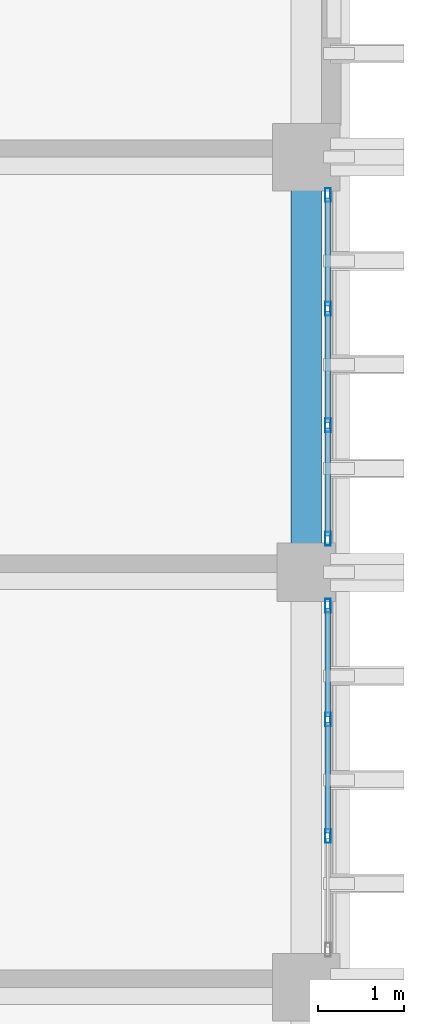
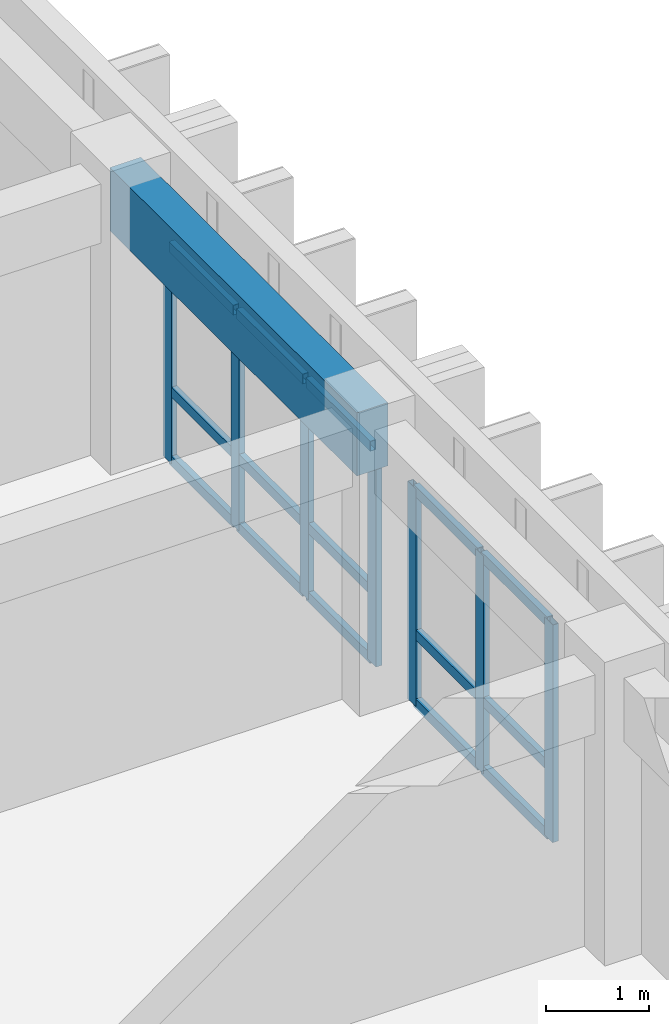
# One storey, part 39 of 68: 22 members, 1 beam, 2 elements without a shape of their own.
"""IFC4 building model written with IfcOpenShell, lengths in metres."""

from ifc_helpers import new_model, si_unit, direction, frame, origin, origin_2d, place, context, subcontext, project, spatial, rectangle, hollow_rectangle, extrude, material, layer, layer_set, material_profile, profile_set, type_object, element, aggregate, save


model = new_model("IFC4")

# Units and contexts
model_context = context("Model", 3, precision=1e-05, world=origin(), true_north=direction((0.0, 1.0)))
body_context = subcontext(model_context, "Body", "Model", "MODEL_VIEW")
ifc_project = project(units=[si_unit("LENGTHUNIT", "METRE"), si_unit("AREAUNIT", "SQUARE_METRE"), si_unit("VOLUMEUNIT", "CUBIC_METRE"), si_unit("PLANEANGLEUNIT", "RADIAN"), si_unit("MASSUNIT", "GRAM", prefix="KILO")], contexts=[model_context])

# Site, building, storey
site_placement = place(None, origin())
site = spatial("IfcSite", under=ifc_project, at=site_placement, CompositionType="ELEMENT")
building_placement = place(site_placement, origin())
building = spatial("IfcBuilding", under=site, at=building_placement, Name="Nakhvara Creek Congress Hotel", CompositionType="ELEMENT")
storey_placement = place(building_placement, frame((0.0, 0.0, 24.60009765625)))
storey = spatial("IfcBuildingStorey", under=building, at=storey_placement, Name="L05", CompositionType="ELEMENT", Elevation=24.60009765625)

# Beam
ifc_material_1 = material(Name="Concrete C40/50", Category="concrete")
ifc_material_profile_1 = material_profile(ifc_material_1, rectangle(XDim=0.35009765625, YDim=0.75, at=origin_2d()), Name="RC-SPANDREL 350x750", Category="LoadBearing")
ifc_profile_set_1 = profile_set([ifc_material_profile_1], Name="Concrete C40/50")
beam_type = type_object("IfcBeamType", Name="BM-SPN-350X750", PredefinedType="SPANDREL", material=ifc_profile_set_1)
beam_placement = place(storey_placement, frame((179.35009765625, 91.199951171875, 2.96484375), z_axis=(0.0, 1.0, 0.0), x_axis=(-1.0, 0.0, 0.0)))
element("IfcBeam", 1, at=beam_placement, inside=storey, type_object=beam_type, Name="Beam SP1-L05-2160", PredefinedType="SPANDREL", context=body_context, shape_type="SweptSolid", body=[
    extrude(rectangle(XDim=0.35009765625, YDim=0.75, at=origin_2d()), origin(), (0.0, 0.0, 1.0), 4.800048828125),
])

# Curtain wall, members
ifc_material_2 = material(Name="Bronze-anodised aluminium AW-6063-T6 and double-silver low-E glass", Category="aluminium")
ifc_layer = layer(ifc_material_2, 0.199951171875)
ifc_layer_set = layer_set([ifc_layer], Name="Bronze-anodised aluminium AW-6063-T6 and double-silver low-E glass")
curtain_wall_type = type_object("IfcCurtainWallType", Name="CW-HTL-UNIT", PredefinedType="USERDEFINED", material=ifc_layer_set)
curtain_wall_1_placement = place(storey_placement, origin())
curtain_wall_1 = element("IfcCurtainWall", 2, at=curtain_wall_1_placement, inside=storey, type_object=curtain_wall_type, Name="Curtain Wall CW218", ObjectType="UNITISED", PredefinedType="USERDEFINED")
ifc_material_3 = material(Name="Bronze-anodised aluminium AW-6063-T6", Category="aluminium")
ifc_material_profile_2 = material_profile(ifc_material_3, hollow_rectangle(XDim=0.06494140625, YDim=0.159912109375, WallThickness=0.00390625, at=origin_2d()), Name="ALU-MULL 65x160x4", Category="LoadBearing")
ifc_profile_set_2 = profile_set([ifc_material_profile_2], Name="Bronze-anodised aluminium AW-6063-T6")
member_type_1 = type_object("IfcMemberType", Name="CW-MULL-160", PredefinedType="MULLION", material=ifc_profile_set_2)
member_1_placement = place(storey_placement, frame((179.60009765625, 90.8125, 0.0), z_axis=(0.0, 0.0, 1.0), x_axis=(1.0, 0.0, 0.0)))
member_1 = element("IfcMember", 3, at=member_1_placement, type_object=member_type_1, Name="CW218 mullion 1", PredefinedType="MULLION", context=body_context, shape_type="SweptSolid", body=[
    extrude(hollow_rectangle(XDim=0.06494140625, YDim=0.159912109375, WallThickness=0.00390625, at=origin_2d()), origin(), (0.0, 0.0, 1.0), 2.581787109375),
])
member_2_placement = place(storey_placement, frame((179.60009765625, 89.498291015625, 0.0), z_axis=(0.0, 0.0, 1.0), x_axis=(1.0, 0.0, 0.0)))
member_2 = element("IfcMember", 4, at=member_2_placement, type_object=member_type_1, Name="CW218 mullion 2", PredefinedType="MULLION", context=body_context, shape_type="SweptSolid", body=[
    extrude(hollow_rectangle(XDim=0.06494140625, YDim=0.159912109375, WallThickness=0.00390625, at=origin_2d()), origin(), (0.0, 0.0, 1.0), 2.581787109375),
])
member_3_placement = place(storey_placement, frame((179.60009765625, 88.151611328125, 0.0), z_axis=(0.0, 0.0, 1.0), x_axis=(1.0, 0.0, 0.0)))
member_3 = element("IfcMember", 5, at=member_3_placement, type_object=member_type_1, Name="CW218 mullion 3", PredefinedType="MULLION", context=body_context, shape_type="SweptSolid", body=[
    extrude(hollow_rectangle(XDim=0.06494140625, YDim=0.159912109375, WallThickness=0.00390625, at=origin_2d()), origin(), (0.0, 0.0, 1.0), 2.581787109375),
])

curtain_wall_2_placement = place(storey_placement, origin())
curtain_wall_2 = element("IfcCurtainWall", 6, at=curtain_wall_2_placement, inside=storey, type_object=curtain_wall_type, Name="Curtain Wall CW220", ObjectType="UNITISED", PredefinedType="USERDEFINED")
member_4_placement = place(storey_placement, frame((179.60009765625, 95.5625, 0.0), z_axis=(0.0, 0.0, 1.0), x_axis=(1.0, 0.0, 0.0)))
member_4 = element("IfcMember", 7, at=member_4_placement, type_object=member_type_1, Name="CW220 mullion 1", PredefinedType="MULLION", context=body_context, shape_type="SweptSolid", body=[
    extrude(hollow_rectangle(XDim=0.06494140625, YDim=0.159912109375, WallThickness=0.00390625, at=origin_2d()), origin(), (0.0, 0.0, 1.0), 2.581787109375),
])
member_5_placement = place(storey_placement, frame((179.60009765625, 94.248291015625, 0.0), z_axis=(0.0, 0.0, 1.0), x_axis=(1.0, 0.0, 0.0)))
member_5 = element("IfcMember", 8, at=member_5_placement, type_object=member_type_1, Name="CW220 mullion 2", PredefinedType="MULLION", context=body_context, shape_type="SweptSolid", body=[
    extrude(hollow_rectangle(XDim=0.06494140625, YDim=0.159912109375, WallThickness=0.00390625, at=origin_2d()), origin(), (0.0, 0.0, 1.0), 2.581787109375),
])
member_6_placement = place(storey_placement, frame((179.60009765625, 92.901611328125, 0.0), z_axis=(0.0, 0.0, 1.0), x_axis=(1.0, 0.0, 0.0)))
member_6 = element("IfcMember", 9, at=member_6_placement, type_object=member_type_1, Name="CW220 mullion 3", PredefinedType="MULLION", context=body_context, shape_type="SweptSolid", body=[
    extrude(hollow_rectangle(XDim=0.06494140625, YDim=0.159912109375, WallThickness=0.00390625, at=origin_2d()), origin(), (0.0, 0.0, 1.0), 2.581787109375),
])
member_7_placement = place(storey_placement, frame((179.60009765625, 91.58740234375, 0.0), z_axis=(0.0, 0.0, 1.0), x_axis=(1.0, 0.0, 0.0)))
member_7 = element("IfcMember", 10, at=member_7_placement, type_object=member_type_1, Name="CW220 mullion 4", PredefinedType="MULLION", context=body_context, shape_type="SweptSolid", body=[
    extrude(hollow_rectangle(XDim=0.06494140625, YDim=0.159912109375, WallThickness=0.00390625, at=origin_2d()), origin(), (0.0, 0.0, 1.0), 2.581787109375),
])

# Member
ifc_material_profile_3 = material_profile(ifc_material_3, hollow_rectangle(XDim=0.06494140625, YDim=0.1201171875, WallThickness=0.00390625, at=origin_2d()), Name="ALU-TRAN 65x120x4", Category="LoadBearing")
ifc_profile_set_3 = profile_set([ifc_material_profile_3], Name="Bronze-anodised aluminium AW-6063-T6")
member_type_2 = type_object("IfcMemberType", Name="CW-TRAN-120", PredefinedType="USERDEFINED", material=ifc_profile_set_3)
member_8_placement = place(storey_placement, frame((179.60009765625, 90.780029296875, 0.032470703125), z_axis=(0.0, -1.0, 0.0), x_axis=(1.0, 0.0, 0.0)))
member_8 = element("IfcMember", 11, at=member_8_placement, type_object=member_type_2, Name="CW218 transom 1.1", ObjectType="TRANSOM", PredefinedType="USERDEFINED", context=body_context, shape_type="SweptSolid", body=[
    extrude(hollow_rectangle(XDim=0.06494140625, YDim=0.1201171875, WallThickness=0.00390625, at=origin_2d()), origin(), (0.0, 0.0, 1.0), 1.249267578125),
])

member_9_placement = place(storey_placement, frame((179.60009765625, 90.780029296875, 0.849853515625), z_axis=(0.0, -1.0, 0.0), x_axis=(1.0, 0.0, 0.0)))
member_9 = element("IfcMember", 12, at=member_9_placement, type_object=member_type_2, Name="CW218 transom 1.2", ObjectType="TRANSOM", PredefinedType="USERDEFINED", context=body_context, shape_type="SweptSolid", body=[
    extrude(hollow_rectangle(XDim=0.06494140625, YDim=0.1201171875, WallThickness=0.00390625, at=origin_2d()), origin(), (0.0, 0.0, 1.0), 1.249267578125),
])

member_10_placement = place(storey_placement, frame((179.60009765625, 90.780029296875, 2.54931640625), z_axis=(0.0, -1.0, 0.0), x_axis=(1.0, 0.0, 0.0)))
member_10 = element("IfcMember", 13, at=member_10_placement, type_object=member_type_2, Name="CW218 transom 1.3", ObjectType="TRANSOM", PredefinedType="USERDEFINED", context=body_context, shape_type="SweptSolid", body=[
    extrude(hollow_rectangle(XDim=0.06494140625, YDim=0.1201171875, WallThickness=0.00390625, at=origin_2d()), origin(), (0.0, 0.0, 1.0), 1.249267578125),
])

member_11_placement = place(storey_placement, frame((179.60009765625, 89.4658203125, 0.032470703125), z_axis=(0.0, -1.0, 0.0), x_axis=(1.0, 0.0, 0.0)))
member_11 = element("IfcMember", 14, at=member_11_placement, type_object=member_type_2, Name="CW218 transom 2.1", ObjectType="TRANSOM", PredefinedType="USERDEFINED", context=body_context, shape_type="SweptSolid", body=[
    extrude(hollow_rectangle(XDim=0.06494140625, YDim=0.1201171875, WallThickness=0.00390625, at=origin_2d()), origin(), (0.0, 0.0, 1.0), 1.28173828125),
])

member_12_placement = place(storey_placement, frame((179.60009765625, 89.4658203125, 0.849853515625), z_axis=(0.0, -1.0, 0.0), x_axis=(1.0, 0.0, 0.0)))
member_12 = element("IfcMember", 15, at=member_12_placement, type_object=member_type_2, Name="CW218 transom 2.2", ObjectType="TRANSOM", PredefinedType="USERDEFINED", context=body_context, shape_type="SweptSolid", body=[
    extrude(hollow_rectangle(XDim=0.06494140625, YDim=0.1201171875, WallThickness=0.00390625, at=origin_2d()), origin(), (0.0, 0.0, 1.0), 1.28173828125),
])

member_13_placement = place(storey_placement, frame((179.60009765625, 89.4658203125, 2.54931640625), z_axis=(0.0, -1.0, 0.0), x_axis=(1.0, 0.0, 0.0)))
member_13 = element("IfcMember", 16, at=member_13_placement, type_object=member_type_2, Name="CW218 transom 2.3", ObjectType="TRANSOM", PredefinedType="USERDEFINED", context=body_context, shape_type="SweptSolid", body=[
    extrude(hollow_rectangle(XDim=0.06494140625, YDim=0.1201171875, WallThickness=0.00390625, at=origin_2d()), origin(), (0.0, 0.0, 1.0), 1.28173828125),
])

aggregate(curtain_wall_1, [member_1, member_2, member_3, member_8, member_9, member_10, member_11, member_12, member_13])

member_14_placement = place(storey_placement, frame((179.60009765625, 95.530029296875, 0.032470703125), z_axis=(0.0, -1.0, 0.0), x_axis=(1.0, 0.0, 0.0)))
member_14 = element("IfcMember", 17, at=member_14_placement, type_object=member_type_2, Name="CW220 transom 1.1", ObjectType="TRANSOM", PredefinedType="USERDEFINED", context=body_context, shape_type="SweptSolid", body=[
    extrude(hollow_rectangle(XDim=0.06494140625, YDim=0.1201171875, WallThickness=0.00390625, at=origin_2d()), origin(), (0.0, 0.0, 1.0), 1.249267578125),
])

member_15_placement = place(storey_placement, frame((179.60009765625, 95.530029296875, 0.849853515625), z_axis=(0.0, -1.0, 0.0), x_axis=(1.0, 0.0, 0.0)))
member_15 = element("IfcMember", 18, at=member_15_placement, type_object=member_type_2, Name="CW220 transom 1.2", ObjectType="TRANSOM", PredefinedType="USERDEFINED", context=body_context, shape_type="SweptSolid", body=[
    extrude(hollow_rectangle(XDim=0.06494140625, YDim=0.1201171875, WallThickness=0.00390625, at=origin_2d()), origin(), (0.0, 0.0, 1.0), 1.249267578125),
])

member_16_placement = place(storey_placement, frame((179.60009765625, 95.530029296875, 2.54931640625), z_axis=(0.0, -1.0, 0.0), x_axis=(1.0, 0.0, 0.0)))
member_16 = element("IfcMember", 19, at=member_16_placement, type_object=member_type_2, Name="CW220 transom 1.3", ObjectType="TRANSOM", PredefinedType="USERDEFINED", context=body_context, shape_type="SweptSolid", body=[
    extrude(hollow_rectangle(XDim=0.06494140625, YDim=0.1201171875, WallThickness=0.00390625, at=origin_2d()), origin(), (0.0, 0.0, 1.0), 1.249267578125),
])

member_17_placement = place(storey_placement, frame((179.60009765625, 94.2158203125, 0.032470703125), z_axis=(0.0, -1.0, 0.0), x_axis=(1.0, 0.0, 0.0)))
member_17 = element("IfcMember", 20, at=member_17_placement, type_object=member_type_2, Name="CW220 transom 2.1", ObjectType="TRANSOM", PredefinedType="USERDEFINED", context=body_context, shape_type="SweptSolid", body=[
    extrude(hollow_rectangle(XDim=0.06494140625, YDim=0.1201171875, WallThickness=0.00390625, at=origin_2d()), origin(), (0.0, 0.0, 1.0), 1.28173828125),
])

member_18_placement = place(storey_placement, frame((179.60009765625, 94.2158203125, 0.849853515625), z_axis=(0.0, -1.0, 0.0), x_axis=(1.0, 0.0, 0.0)))
member_18 = element("IfcMember", 21, at=member_18_placement, type_object=member_type_2, Name="CW220 transom 2.2", ObjectType="TRANSOM", PredefinedType="USERDEFINED", context=body_context, shape_type="SweptSolid", body=[
    extrude(hollow_rectangle(XDim=0.06494140625, YDim=0.1201171875, WallThickness=0.00390625, at=origin_2d()), origin(), (0.0, 0.0, 1.0), 1.28173828125),
])

member_19_placement = place(storey_placement, frame((179.60009765625, 94.2158203125, 2.54931640625), z_axis=(0.0, -1.0, 0.0), x_axis=(1.0, 0.0, 0.0)))
member_19 = element("IfcMember", 22, at=member_19_placement, type_object=member_type_2, Name="CW220 transom 2.3", ObjectType="TRANSOM", PredefinedType="USERDEFINED", context=body_context, shape_type="SweptSolid", body=[
    extrude(hollow_rectangle(XDim=0.06494140625, YDim=0.1201171875, WallThickness=0.00390625, at=origin_2d()), origin(), (0.0, 0.0, 1.0), 1.28173828125),
])

member_20_placement = place(storey_placement, frame((179.60009765625, 92.869140625, 0.032470703125), z_axis=(0.0, -1.0, 0.0), x_axis=(1.0, 0.0, 0.0)))
member_20 = element("IfcMember", 23, at=member_20_placement, type_object=member_type_2, Name="CW220 transom 3.1", ObjectType="TRANSOM", PredefinedType="USERDEFINED", context=body_context, shape_type="SweptSolid", body=[
    extrude(hollow_rectangle(XDim=0.06494140625, YDim=0.1201171875, WallThickness=0.00390625, at=origin_2d()), origin(), (0.0, 0.0, 1.0), 1.2490234375),
])

member_21_placement = place(storey_placement, frame((179.60009765625, 92.869140625, 0.849853515625), z_axis=(0.0, -1.0, 0.0), x_axis=(1.0, 0.0, 0.0)))
member_21 = element("IfcMember", 24, at=member_21_placement, type_object=member_type_2, Name="CW220 transom 3.2", ObjectType="TRANSOM", PredefinedType="USERDEFINED", context=body_context, shape_type="SweptSolid", body=[
    extrude(hollow_rectangle(XDim=0.06494140625, YDim=0.1201171875, WallThickness=0.00390625, at=origin_2d()), origin(), (0.0, 0.0, 1.0), 1.2490234375),
])

member_22_placement = place(storey_placement, frame((179.60009765625, 92.869140625, 2.54931640625), z_axis=(0.0, -1.0, 0.0), x_axis=(1.0, 0.0, 0.0)))
member_22 = element("IfcMember", 25, at=member_22_placement, type_object=member_type_2, Name="CW220 transom 3.3", ObjectType="TRANSOM", PredefinedType="USERDEFINED", context=body_context, shape_type="SweptSolid", body=[
    extrude(hollow_rectangle(XDim=0.06494140625, YDim=0.1201171875, WallThickness=0.00390625, at=origin_2d()), origin(), (0.0, 0.0, 1.0), 1.2490234375),
])

aggregate(curtain_wall_2, [member_4, member_5, member_6, member_7, member_14, member_15, member_16, member_17, member_18, member_19, member_20, member_21, member_22])

save(model, "model.ifc")
